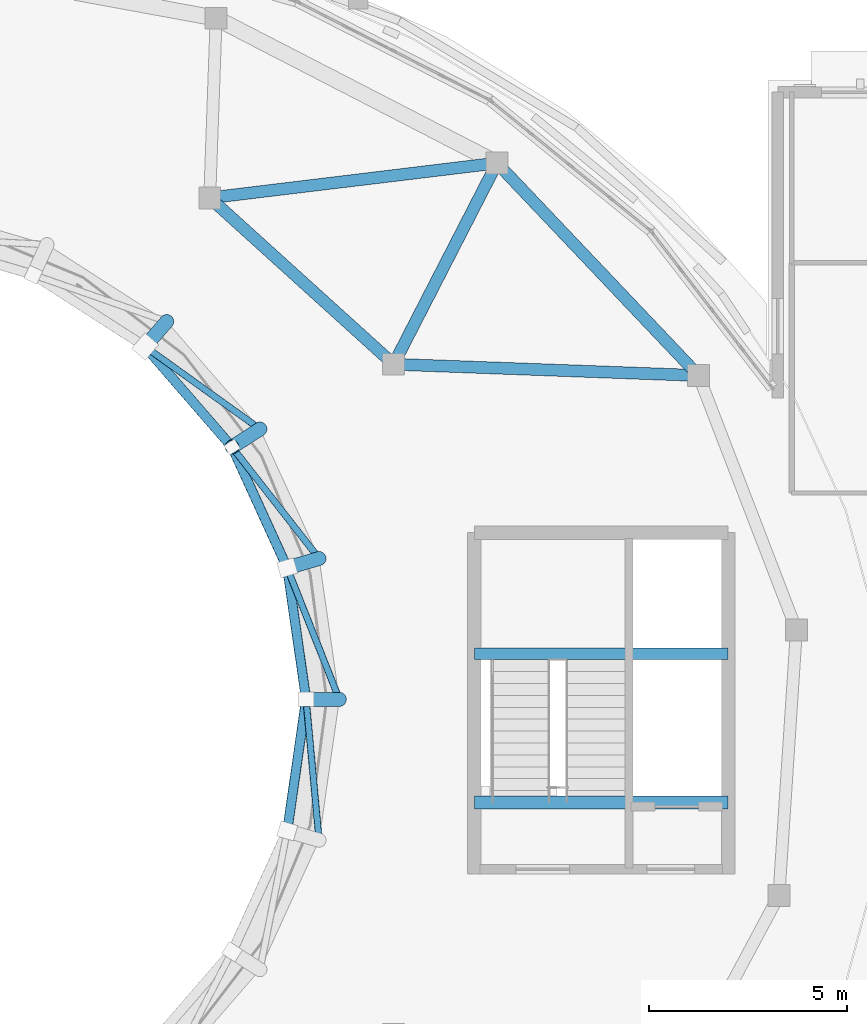
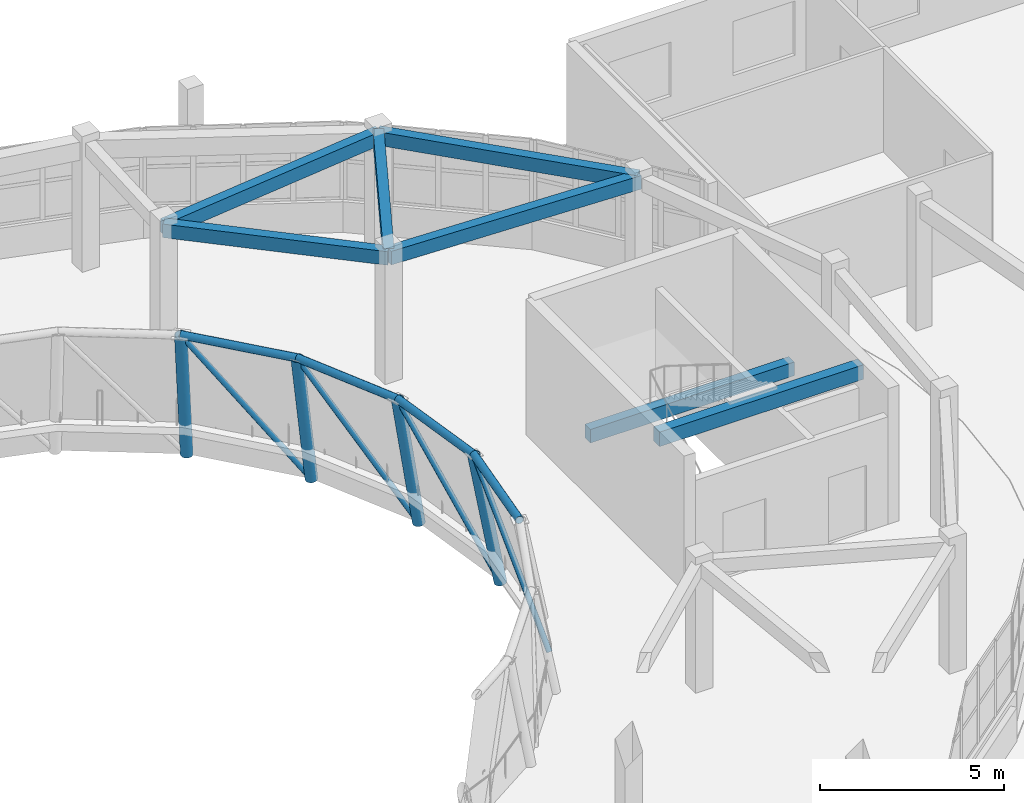
# One storey, part 22 of 46: 15 beams, 4 members.
"""IFC4 building model written with IfcOpenShell, lengths in metres."""

from ifc_helpers import new_model, si_unit, direction, frame, origin, origin_2d, place, context, subcontext, project, spatial, rectangle, hollow_circle, extrude, material, material_profile, profile_set, type_object, element, save


model = new_model("IFC4")

# Units and contexts
model_context = context("Model", 3, precision=1e-05, world=origin(), true_north=direction((0.0, 1.0)))
body_context = subcontext(model_context, "Body", "Model", "MODEL_VIEW")
ifc_project = project(units=[si_unit("LENGTHUNIT", "METRE"), si_unit("AREAUNIT", "SQUARE_METRE"), si_unit("VOLUMEUNIT", "CUBIC_METRE"), si_unit("PLANEANGLEUNIT", "RADIAN"), si_unit("MASSUNIT", "GRAM", prefix="KILO")], contexts=[model_context])

# Site, building, storey
site_placement = place(None, origin())
site = spatial("IfcSite", under=ifc_project, at=site_placement, CompositionType="ELEMENT")
building_placement = place(site_placement, origin())
building = spatial("IfcBuilding", under=site, at=building_placement, Name="Pelvatis Terrace Science Centre", CompositionType="ELEMENT")
storey_placement = place(building_placement, frame((0.0, 0.0, 19.800048828125)))
storey = spatial("IfcBuildingStorey", under=building, at=storey_placement, Name="L04", CompositionType="ELEMENT", Elevation=19.800048828125)

# Beams
ifc_material_1 = material(Name="Structural steel S355", Category="steel")
ifc_material_profile_1 = material_profile(ifc_material_1, hollow_circle(Radius=0.177734375, WallThickness=0.012451171875, at=origin_2d()), Name="CHS 355.6x12.5")
ifc_profile_set_1 = profile_set([ifc_material_profile_1], Name="Structural steel S355")
beam_type_1 = type_object("IfcBeamType", Name="BM-DOME-CHS355", PredefinedType="BEAM", material=ifc_profile_set_1)
for number, where, z_axis, x_axis, name in (
    (1, (121.800048828125, 85.800048828125, -1.199951171875), (-0.182243459435, 0.0, 0.983253437061), (0.0, -1.0, 0.0), "Planetarium meridional dome rib 01.1"),
    (2, (121.28955078125, 89.349853515625, -1.199951171875), (-0.174853899514, -0.051355690766, 0.983254141537), (0.281803045365, -0.959472273504, 0.0), "Planetarium meridional dome rib 02.1"),
    (3, (119.7998046875, 92.612060546875, -1.199951171875), (-0.153322702858, -0.098511431483, 0.983253602412), (0.540551161728, -0.841311144319, 0.0), "Planetarium meridional dome rib 03.1"),
    (4, (117.451171875, 95.322509765625, -1.199951171875), (-0.119298626287, -0.13774631939, 0.983256726018), (0.755910439753, -0.654675039292, 0.0), "Planetarium meridional dome rib 04.1"),
):
    element("IfcBeam", number, at=place(storey_placement, frame(where, z_axis=z_axis, x_axis=x_axis)), inside=storey, type_object=beam_type_1, Name=name, PredefinedType="BEAM", context=body_context, shape_type="SweptSolid", body=[
        extrude(hollow_circle(Radius=0.177734375, WallThickness=0.012451171875, at=origin_2d()), origin(), (0.0, 0.0, 1.0), 4.59228515625),
    ])
ifc_material_2 = material(Name="Structural steel S355", Category="steel")
ifc_material_profile_2 = material_profile(ifc_material_2, hollow_circle(Radius=0.122314453125, WallThickness=0.010009765625, at=origin_2d()), Name="CHS 244.5x10.0")
ifc_profile_set_2 = profile_set([ifc_material_profile_2], Name="Structural steel S355")
beam_type_2 = type_object("IfcBeamType", Name="BM-HOOP-CHS244", PredefinedType="BEAM", material=ifc_profile_set_2)
for number, where, z_axis, x_axis, name in (
    (5, (120.963134765625, 85.800048828125, 3.3154296875), (-0.142340088933, 0.989817811055, 0.0), (-0.989817811055, -0.142340088933, 0.0), "Planetarium dome hoop ring 2.01"),
    (6, (120.486572265625, 89.114013671875, 3.3154296875), (-0.415406469378, 0.909635897049, 0.0), (-0.909635897049, -0.415406469378, 0.0), "Planetarium dome hoop ring 2.02"),
):
    element("IfcBeam", number, at=place(storey_placement, frame(where, z_axis=z_axis, x_axis=x_axis)), inside=storey, type_object=beam_type_2, Name=name, PredefinedType="BEAM", context=body_context, shape_type="SweptSolid", body=[
        extrude(hollow_circle(Radius=0.122314453125, WallThickness=0.010009765625, at=origin_2d()), origin(), (0.0, 0.0, 1.0), 3.34814453125),
    ])
beam_1_placement = place(storey_placement, frame((119.095703125, 92.15966796875, 3.3154296875), z_axis=(-0.654841694618, 0.755766071606, 0.0), x_axis=(-0.755766071606, -0.654841694618, 0.0)))
element("IfcBeam", 7, at=beam_1_placement, inside=storey, type_object=beam_type_2, Name="Planetarium dome hoop ring 2.03", PredefinedType="BEAM", context=body_context, shape_type="SweptSolid", body=[
    extrude(hollow_circle(Radius=0.122314453125, WallThickness=0.010009765625, at=origin_2d()), origin(), (0.0, 0.0, 1.0), 3.347900390625),
])
beam_2_placement = place(storey_placement, frame((120.486572265625, 82.48583984375, 3.3154296875), z_axis=(0.142329815895, 0.989819288308, 0.0), x_axis=(-0.989819288308, 0.142329815895, 0.0)))
element("IfcBeam", 8, at=beam_2_placement, inside=storey, type_object=beam_type_2, Name="Planetarium dome hoop ring 2.22", PredefinedType="BEAM", context=body_context, shape_type="SweptSolid", body=[
    extrude(hollow_circle(Radius=0.122314453125, WallThickness=0.010009765625, at=origin_2d()), origin(), (0.0, 0.0, 1.0), 3.348388671875),
])
ifc_material_3 = material(Name="Concrete C35/45", Category="concrete")
ifc_material_profile_3 = material_profile(ifc_material_3, rectangle(XDim=0.300048828125, YDim=0.449951171875, at=origin_2d()), Name="RC-BM 300x450")
ifc_profile_set_3 = profile_set([ifc_material_profile_3], Name="Concrete C35/45")
beam_type_3 = type_object("IfcBeamType", Name="BM-RC-300x450", PredefinedType="BEAM", material=ifc_profile_set_3)
beam_3_placement = place(storey_placement, frame((130.8515625, 93.9619140625, 4.02490234375), z_axis=(-0.688268468455, 0.725456074019, 0.0), x_axis=(-0.725456074019, -0.688268468455, 0.0)))
element("IfcBeam", 9, at=beam_3_placement, inside=storey, type_object=beam_type_3, Name="Beam BM-L04-3076", PredefinedType="BEAM", context=body_context, shape_type="SweptSolid", body=[
    extrude(rectangle(XDim=0.300048828125, YDim=0.449951171875, at=origin_2d()), origin(), (0.0, 0.0, 1.0), 7.379150390625),
])
beam_4_placement = place(storey_placement, frame((130.8515625, 93.9619140625, 4.02490234375), z_axis=(-0.999323636049, 0.036773229863, 0.0), x_axis=(-0.036773229863, -0.999323636049, 0.0)))
element("IfcBeam", 10, at=beam_4_placement, inside=storey, type_object=beam_type_3, Name="Beam BM-L04-3077", PredefinedType="BEAM", context=body_context, shape_type="SweptSolid", body=[
    extrude(rectangle(XDim=0.300048828125, YDim=0.449951171875, at=origin_2d()), origin(), (0.0, 0.0, 1.0), 7.68798828125),
])
beam_5_placement = place(storey_placement, frame((125.772705078125, 99.315185546875, 4.02490234375), z_axis=(-0.456833081813, -0.88955243542, 0.0), x_axis=(0.88955243542, -0.456833081813, 0.0)))
element("IfcBeam", 11, at=beam_5_placement, inside=storey, type_object=beam_type_3, Name="Beam BM-L04-3079", PredefinedType="BEAM", context=body_context, shape_type="SweptSolid", body=[
    extrude(rectangle(XDim=0.300048828125, YDim=0.449951171875, at=origin_2d()), origin(), (0.0, 0.0, 1.0), 5.7001953125),
])
beam_6_placement = place(storey_placement, frame((125.772705078125, 99.315185546875, 4.02490234375), z_axis=(-0.992742021156, -0.120263375265, 0.0), x_axis=(0.120263375265, -0.992742021156, 0.0)))
element("IfcBeam", 12, at=beam_6_placement, inside=storey, type_object=beam_type_3, Name="Beam BM-L04-3080", PredefinedType="BEAM", context=body_context, shape_type="SweptSolid", body=[
    extrude(rectangle(XDim=0.300048828125, YDim=0.449951171875, at=origin_2d()), origin(), (0.0, 0.0, 1.0), 7.2919921875),
])
beam_7_placement = place(storey_placement, frame((123.168701171875, 94.24462890625, 4.02490234375), z_axis=(-0.741533928448, 0.670915369447, 0.0), x_axis=(-0.670915369447, -0.741533928448, 0.0)))
element("IfcBeam", 13, at=beam_7_placement, inside=storey, type_object=beam_type_3, Name="Beam BM-L04-3104", PredefinedType="BEAM", context=body_context, shape_type="SweptSolid", body=[
    extrude(rectangle(XDim=0.300048828125, YDim=0.449951171875, at=origin_2d()), origin(), (0.0, 0.0, 1.0), 6.25048828125),
])
beam_8_placement = place(storey_placement, frame((125.199951171875, 86.949951171875, 1.824951171875), z_axis=(1.0, 0.0, 0.0), x_axis=(0.0, 1.0, 0.0)))
element("IfcBeam", 14, at=beam_8_placement, inside=storey, type_object=beam_type_3, Name="Core C2 half-landing beam (L04)", PredefinedType="BEAM", context=body_context, shape_type="SweptSolid", body=[
    extrude(rectangle(XDim=0.300048828125, YDim=0.449951171875, at=origin_2d()), origin(), (0.0, 0.0, 1.0), 6.400146484375),
])
ifc_material_4 = material(Name="Concrete C35/45", Category="concrete")
ifc_material_profile_4 = material_profile(ifc_material_4, rectangle(XDim=0.320068359375, YDim=0.47998046875, at=origin_2d()), Name="RC-BM 320x480")
ifc_profile_set_4 = profile_set([ifc_material_profile_4], Name="Concrete C35/45")
beam_type_4 = type_object("IfcBeamType", Name="BM-RC-320x480", PredefinedType="BEAM", material=ifc_profile_set_4)
beam_9_placement = place(storey_placement, frame((125.199951171875, 83.199951171875, 4.0), z_axis=(1.0, 0.0, 0.0), x_axis=(0.0, 1.0, 0.0)))
element("IfcBeam", 15, at=beam_9_placement, inside=storey, type_object=beam_type_4, Name="Core C2 stair header beam (L04)", PredefinedType="BEAM", context=body_context, shape_type="SweptSolid", body=[
    extrude(rectangle(XDim=0.320068359375, YDim=0.47998046875, at=origin_2d()), origin(), (0.0, 0.0, 1.0), 6.400146484375),
])

# Members
ifc_material_5 = material(Name="Structural steel S355", Category="steel")
ifc_material_profile_5 = material_profile(ifc_material_5, hollow_circle(Radius=0.084228515625, WallThickness=0.00634765625, at=origin_2d()), Name="CHS 168.3x6.3")
ifc_profile_set_5 = profile_set([ifc_material_profile_5], Name="Structural steel S355")
member_type = type_object("IfcMemberType", Name="MEM-BRC-CHS168", PredefinedType="BRACE", material=ifc_profile_set_5)
for number, where, z_axis, x_axis, name in (
    (16, (121.800048828125, 85.800048828125, -1.199951171875), (-0.228314212364, 0.576047791566, 0.784883151982), (-0.929643437768, -0.368460416619, 0.0), "Planetarium dome lateral brace 1.01"),
    (17, (121.28955078125, 89.349853515625, -1.199951171875), (-0.381341605859, 0.488410921637, 0.784877921251), (-0.788203965059, -0.615414095927, 0.0), "Planetarium dome lateral brace 1.02"),
    (18, (119.7998046875, 92.612060546875, -1.199951171875), (-0.503482357275, 0.361188329633, 0.784887575675), (-0.582901977556, -0.812542481697, 0.0), "Planetarium dome lateral brace 1.03"),
    (19, (121.28955078125, 82.250244140625, -1.199951171875), (-0.056738986341, 0.617041781155, 0.784882238134), (-0.99579892415, -0.091566929958, 0.0), "Planetarium dome lateral brace 1.22"),
):
    element("IfcMember", number, at=place(storey_placement, frame(where, z_axis=z_axis, x_axis=x_axis)), inside=storey, type_object=member_type, Name=name, PredefinedType="BRACE", context=body_context, shape_type="SweptSolid", body=[
        extrude(hollow_circle(Radius=0.084228515625, WallThickness=0.00634765625, at=origin_2d()), origin(), (0.0, 0.0, 1.0), 5.7529296875),
    ])

save(model, "model.ifc")
